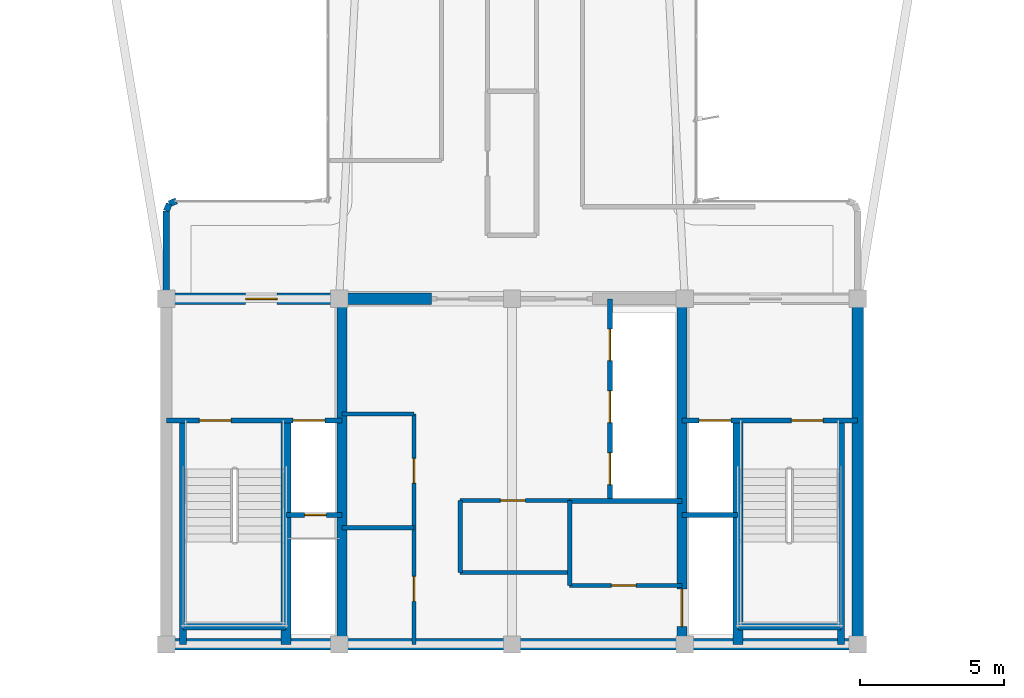
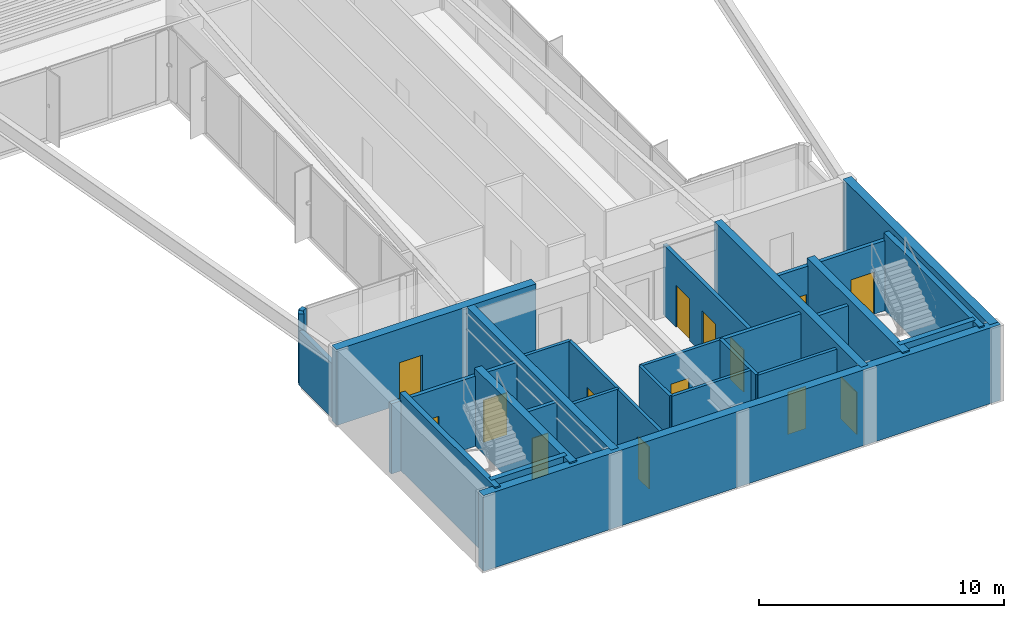
# One storey, part 10 of 14: 28 walls, 14 doors, 14 openings.
"""IFC4 building model written with IfcOpenShell, lengths in metres."""

from ifc_helpers import new_model, si_unit, direction, frame, frame_2d, origin, origin_2d, place, context, subcontext, project, spatial, rectangle, extrude, source, transform, mapped, material, layer, layer_set, type_object, element, fill, save


model = new_model("IFC4")

# Units and contexts
model_context = context("Model", 3, precision=1e-05, world=origin(), true_north=direction((0.0, 1.0)))
body_context = subcontext(model_context, "Body", "Model", "MODEL_VIEW")
ifc_project = project(units=[si_unit("LENGTHUNIT", "METRE"), si_unit("AREAUNIT", "SQUARE_METRE"), si_unit("VOLUMEUNIT", "CUBIC_METRE"), si_unit("PLANEANGLEUNIT", "RADIAN"), si_unit("MASSUNIT", "GRAM", prefix="KILO")], contexts=[model_context])

# Site, building, storey
site_placement = place(None, origin())
site = spatial("IfcSite", under=ifc_project, at=site_placement, CompositionType="ELEMENT")
building_placement = place(site_placement, origin())
building = spatial("IfcBuilding", under=site, at=building_placement, Name="Brelvock Crest Care Tower", CompositionType="ELEMENT")
storey_placement = place(building_placement, frame((0.0, 0.0, 257.0400390625)))
storey = spatial("IfcBuildingStorey", under=building, at=storey_placement, Name="L65", CompositionType="ELEMENT", Elevation=257.0400390625)

# Walls
ifc_material_1 = material(Name="Concrete S65 (65 MPa)", Category="concrete")
ifc_layer_1 = layer(ifc_material_1, 0.39990234375, Name="WL-CS4")
ifc_layer_set_1 = layer_set([ifc_layer_1], Name="Concrete S65 (65 MPa)")
wall_type_1 = type_object("IfcWallType", Name="WL-CS4", PredefinedType="SHEAR", material=ifc_layer_set_1)
wall_1_placement = place(storey_placement, frame((48.199951171875, 6.0, 0.0), z_axis=(0.0, 0.0, 1.0), x_axis=(-1.0, 0.0, 0.0)))
element("IfcWall", 1, at=wall_1_placement, inside=storey, type_object=wall_type_1, Name="L65 Core South Shear Wall", PredefinedType="SHEAR", context=body_context, shape_type="SweptSolid", body=[
    extrude(rectangle(XDim=24.39990234375, YDim=0.39990234375, at=frame_2d((12.199951171875, 0.0))), origin(), (0.0, 0.0, 1.0), 3.780029296875),
])
wall_2_placement = place(storey_placement, frame((48.0, 18.0, 0.0), z_axis=(0.0, 0.0, 1.0), x_axis=(0.0, -1.0, 0.0)))
element("IfcWall", 2, at=wall_2_placement, inside=storey, type_object=wall_type_1, Name="L65 Core East Shear Wall", PredefinedType="SHEAR", context=body_context, shape_type="SweptSolid", body=[
    extrude(rectangle(XDim=12.0, YDim=0.39990234375, at=frame_2d((6.0, 0.0))), origin(), (0.0, 0.0, 1.0), 3.780029296875),
])

# Wall, opening, door
wall_3_placement = place(storey_placement, frame((23.800048828125, 18.0, 0.0), z_axis=(0.0, 0.0, 1.0), x_axis=(1.0, 0.0, 0.0)))
wall_3 = element("IfcWall", 3, at=wall_3_placement, inside=storey, type_object=wall_type_1, Name="L65 Core North-West Shear Wall", PredefinedType="SHEAR", context=body_context, shape_type="SweptSolid", body=[
    extrude(rectangle(XDim=9.39990234375, YDim=0.39990234375, at=frame_2d((4.699951171875, 0.0))), origin(), (0.0, 0.0, 1.0), 3.780029296875),
])
opening_1_placement = place(wall_3_placement, frame((2.949951171875, 0.0, 0.0)))
opening_1 = element("IfcOpeningElement", 4, at=opening_1_placement, cuts=wall_3, Name="Opening FD-1", PredefinedType="OPENING", context=body_context, shape_type="SweptSolid", body=[
    extrude(rectangle(XDim=1.10009765625, YDim=2.10009765625, at=origin_2d()), frame((0.550048828125, 0.2099609375, 1.050048828125), z_axis=(0.0, -1.0, 0.0), x_axis=(1.0, 0.0, 0.0)), (0.0, 0.0, 1.0), 0.419921875),
])
ifc_material_2 = material(Name="Steel Grade 350", Category="steel")
door_type_1 = type_object("IfcDoorType", Name="DR-FFL1", OperationType="NOTDEFINED", PredefinedType="DOOR", material=ifc_material_2)
shared_shape_1 = source(origin(), body_context, "Body", "SweptSolid", [
    extrude(rectangle(XDim=1.10009765625, YDim=2.10009765625, at=origin_2d()), frame((0.550048828125, 0.02490234375, 1.050048828125), z_axis=(0.0, -1.0, 0.0), x_axis=(1.0, 0.0, 0.0)), (0.0, 0.0, 1.0), 0.050048828125),
])
door_1_placement = place(opening_1_placement, origin())
door_1 = element("IfcDoor", 5, at=door_1_placement, inside=storey, type_object=door_type_1, Name="L65 Firefighting Lobby FFL-1 Exit Door", OperationType="SINGLE_SWING_LEFT", OverallHeight=2.10009765625, OverallWidth=1.10009765625, PredefinedType="DOOR", context=body_context, shape_type="MappedRepresentation", body=[
    mapped(shared_shape_1, transform((0.0, 0.0, 0.0), x_axis=(1.0, 0.0, 0.0), y_axis=(0.0, 1.0, 0.0), z_axis=(0.0, 0.0, 1.0), scale=1.0)),
])
fill(opening_1, door_1)

# Wall
ifc_material_3 = material(Name="Concrete S80 (80 MPa)", Category="concrete")
ifc_layer_2 = layer(ifc_material_3, 0.35009765625, Name="WL-CS5")
ifc_layer_set_2 = layer_set([ifc_layer_2], Name="Concrete S80 (80 MPa)")
wall_type_2 = type_object("IfcWallType", Name="WL-CS5", PredefinedType="SHEAR", material=ifc_layer_set_2)
wall_4_placement = place(storey_placement, frame((30.10009765625, 6.0, 0.0), z_axis=(0.0, 0.0, 1.0), x_axis=(0.0, 1.0, 0.0)))
element("IfcWall", 6, at=wall_4_placement, inside=storey, type_object=wall_type_2, Name="L65 Core Internal Web Wall West", PredefinedType="SHEAR", context=body_context, shape_type="SweptSolid", body=[
    extrude(rectangle(XDim=12.0, YDim=0.35009765625, at=frame_2d((6.0, 0.0))), origin(), (0.0, 0.0, 1.0), 3.780029296875),
])

# Wall, opening, door
wall_5_placement = place(storey_placement, frame((41.89990234375, 18.0, 0.0), z_axis=(0.0, 0.0, 1.0), x_axis=(0.0, -1.0, 0.0)))
wall_5 = element("IfcWall", 7, at=wall_5_placement, inside=storey, type_object=wall_type_2, Name="L65 Core Internal Web Wall East", PredefinedType="SHEAR", context=body_context, shape_type="SweptSolid", body=[
    extrude(rectangle(XDim=12.0, YDim=0.35009765625, at=frame_2d((6.0, 0.0))), origin(), (0.0, 0.0, 1.0), 3.780029296875),
])
opening_2_placement = place(wall_5_placement, frame((10.080078125, 0.0, 0.0)))
opening_2 = element("IfcOpeningElement", 8, at=opening_2_placement, cuts=wall_5, Name="Opening LD-S", PredefinedType="OPENING", context=body_context, shape_type="SweptSolid", body=[
    extrude(rectangle(XDim=1.300048828125, YDim=2.10009765625, at=origin_2d()), frame((0.64990234375, 0.18505859375, 1.050048828125), z_axis=(0.0, -1.0, 0.0), x_axis=(1.0, 0.0, 0.0)), (0.0, 0.0, 1.0), 0.3701171875),
])
door_type_2 = type_object("IfcDoorType", Name="DR-LDS1", OperationType="NOTDEFINED", PredefinedType="DOOR", material=ifc_material_2)
shared_shape_2 = source(origin(), body_context, "Body", "SweptSolid", [
    extrude(rectangle(XDim=1.300048828125, YDim=2.10009765625, at=origin_2d()), frame((0.64990234375, 0.02490234375, 1.050048828125), z_axis=(0.0, -1.0, 0.0), x_axis=(1.0, 0.0, 0.0)), (0.0, 0.0, 1.0), 0.050048828125),
])
door_2_placement = place(opening_2_placement, origin())
door_2 = element("IfcDoor", 9, at=door_2_placement, inside=storey, type_object=door_type_2, Name="L65 Clinical Bed Lift SL-1 Landing Door", OperationType="SLIDING_TO_LEFT", OverallHeight=2.10009765625, OverallWidth=1.300048828125, PredefinedType="DOOR", context=body_context, shape_type="MappedRepresentation", body=[
    mapped(shared_shape_2, transform((0.0, 0.0, 0.0), x_axis=(1.0, 0.0, 0.0), y_axis=(0.0, 1.0, 0.0), z_axis=(0.0, 0.0, 1.0), scale=1.0)),
])
fill(opening_2, door_2)

# Walls
for number, where, z_axis, x_axis, name in (
    (10, (28.14990234375, 6.0, 0.0), (0.0, 0.0, 1.0), (0.0, 1.0, 0.0), "L65 Core Stair ST-1 East Shear Wall"),
    (11, (43.85009765625, 6.0, 0.0), (0.0, 0.0, 1.0), (0.0, 1.0, 0.0), "L65 Core Stair ST-2 West Shear Wall"),
):
    element("IfcWall", number, at=place(storey_placement, frame(where, z_axis=z_axis, x_axis=x_axis)), inside=storey, type_object=wall_type_2, Name=name, PredefinedType="SHEAR", context=body_context, shape_type="SweptSolid", body=[
        extrude(rectangle(XDim=7.780029296875, YDim=0.35009765625, at=frame_2d((3.89013671875, 0.0))), origin(), (0.0, 0.0, 1.0), 3.849853515625),
    ])
ifc_layer_3 = layer(ifc_material_3, 0.25, Name="WL-CS6")
ifc_layer_set_3 = layer_set([ifc_layer_3], Name="Concrete S80 (80 MPa)")
wall_type_3 = type_object("IfcWallType", Name="WL-CS6", PredefinedType="SHEAR", material=ifc_layer_set_3)
wall_6_placement = place(storey_placement, frame((24.580078125, 6.0, 0.0), z_axis=(0.0, 0.0, 1.0), x_axis=(0.0, 1.0, 0.0)))
element("IfcWall", 12, at=wall_6_placement, inside=storey, type_object=wall_type_3, Name="L65 Core Stair ST-1 West Shear Wall", PredefinedType="SHEAR", context=body_context, shape_type="SweptSolid", body=[
    extrude(rectangle(XDim=7.780029296875, YDim=0.25, at=frame_2d((3.89013671875, 0.0))), origin(), (0.0, 0.0, 1.0), 3.849853515625),
])
wall_7_placement = place(storey_placement, frame((24.580078125, 6.6201171875, 0.0), z_axis=(0.0, 0.0, 1.0), x_axis=(1.0, 0.0, 0.0)))
element("IfcWall", 13, at=wall_7_placement, inside=storey, type_object=wall_type_3, Name="L65 Core Stair ST-1 South Shear Wall", PredefinedType="SHEAR", context=body_context, shape_type="SweptSolid", body=[
    extrude(rectangle(XDim=3.56982421875, YDim=0.25, at=frame_2d((1.784912109375, 0.0))), origin(), (0.0, 0.0, 1.0), 3.849853515625),
])
wall_8_placement = place(storey_placement, frame((47.419921875, 6.0, 0.0), z_axis=(0.0, 0.0, 1.0), x_axis=(0.0, 1.0, 0.0)))
element("IfcWall", 14, at=wall_8_placement, inside=storey, type_object=wall_type_3, Name="L65 Core Stair ST-2 East Shear Wall", PredefinedType="SHEAR", context=body_context, shape_type="SweptSolid", body=[
    extrude(rectangle(XDim=7.780029296875, YDim=0.25, at=frame_2d((3.89013671875, 0.0))), origin(), (0.0, 0.0, 1.0), 3.849853515625),
])
wall_9_placement = place(storey_placement, frame((43.85009765625, 6.6201171875, 0.0), z_axis=(0.0, 0.0, 1.0), x_axis=(1.0, 0.0, 0.0)))
element("IfcWall", 15, at=wall_9_placement, inside=storey, type_object=wall_type_3, Name="L65 Core Stair ST-2 South Shear Wall", PredefinedType="SHEAR", context=body_context, shape_type="SweptSolid", body=[
    extrude(rectangle(XDim=3.56982421875, YDim=0.25, at=frame_2d((1.784912109375, 0.0))), origin(), (0.0, 0.0, 1.0), 3.849853515625),
])
ifc_material_4 = material(Name="Precast concrete N40 (40 MPa)", Category="concrete")
ifc_layer_4 = layer(ifc_material_4, 0.215087890625, Name="WL-EX2")
ifc_layer_set_4 = layer_set([ifc_layer_4], Name="Precast concrete N40 (40 MPa)")
wall_type_4 = type_object("IfcWallType", Name="WL-EX2", PredefinedType="SOLIDWALL", material=ifc_layer_set_4)
wall_10_placement = place(storey_placement, frame((24.0, 18.280029296875, 0.0), z_axis=(0.0, 0.0, 1.0), x_axis=(0.0, 1.0, 0.0)))
element("IfcWall", 16, at=wall_10_placement, inside=storey, type_object=wall_type_4, Name="L65 Rounded Corner Wall 07", PredefinedType="SOLIDWALL", context=body_context, shape_type="SweptSolid", body=[
    extrude(rectangle(XDim=2.77001953125, YDim=0.215087890625, at=frame_2d((1.385009765625, 0.0))), origin(), (0.0, 0.0, 1.0), 2.718017578125),
])
wall_11_placement = place(storey_placement, frame((24.0, 21.050048828125, 0.0), z_axis=(0.0, 0.0, 1.0), x_axis=(0.382673670509, 0.923883575944, 0.0)))
element("IfcWall", 17, at=wall_11_placement, inside=storey, type_object=wall_type_4, Name="L65 Rounded Corner Wall 08", PredefinedType="SOLIDWALL", context=body_context, shape_type="SweptSolid", body=[
    extrude(rectangle(XDim=0.26806640625, YDim=0.215087890625, at=frame_2d((0.134033203125, 0.0))), origin(), (0.0, 0.0, 1.0), 3.530029296875),
])
wall_12_placement = place(storey_placement, frame((24.1025390625, 21.297607421875, 0.0), z_axis=(0.0, 0.0, 1.0), x_axis=(0.924205486139, 0.381895560841, 0.0)))
element("IfcWall", 18, at=wall_12_placement, inside=storey, type_object=wall_type_4, Name="L65 Rounded Corner Wall 09", PredefinedType="SOLIDWALL", context=body_context, shape_type="SweptSolid", body=[
    extrude(rectangle(XDim=0.267822265625, YDim=0.215087890625, at=frame_2d((0.1337890625, 0.0))), origin(), (0.0, 0.0, 1.0), 3.530029296875),
])
ifc_material_5 = material(Name="Masonry Blockwork Acoustic Partition", Category="masonry")
ifc_layer_5 = layer(ifc_material_5, 0.14990234375, Name="WL-INT1")
ifc_layer_set_5 = layer_set([ifc_layer_5], Name="Masonry Blockwork Acoustic Partition")
wall_type_5 = type_object("IfcWallType", Name="WL-INT1", PredefinedType="PARTITIONING", material=ifc_layer_set_5)
wall_13_placement = place(storey_placement, frame((30.10009765625, 14.0, 0.0), z_axis=(0.0, 0.0, 1.0), x_axis=(1.0, 0.0, 0.0)))
element("IfcWall", 19, at=wall_13_placement, inside=storey, type_object=wall_type_5, Name="L65 Interior Wall WL-CRCL-N1-L65", PredefinedType="PARTITIONING", context=body_context, shape_type="SweptSolid", body=[
    extrude(rectangle(XDim=2.5, YDim=0.14990234375, at=frame_2d((1.25, 0.0))), origin(), (0.0, 0.0, 1.0), 3.5),
])
wall_14_placement = place(storey_placement, frame((34.199951171875, 8.5, 0.0), z_axis=(0.0, 0.0, 1.0), x_axis=(1.0, 0.0, 0.0)))
element("IfcWall", 20, at=wall_14_placement, inside=storey, type_object=wall_type_5, Name="L65 Interior Wall WL-CRCM-SW-L65", PredefinedType="PARTITIONING", context=body_context, shape_type="SweptSolid", body=[
    extrude(rectangle(XDim=3.800048828125, YDim=0.14990234375, at=frame_2d((1.89990234375, 0.0))), origin(), (0.0, 0.0, 1.0), 3.5),
])

# Wall, opening, door
wall_15_placement = place(storey_placement, frame((38.0, 8.050048828125, 0.0), z_axis=(0.0, 0.0, 1.0), x_axis=(1.0, 0.0, 0.0)))
wall_15 = element("IfcWall", 21, at=wall_15_placement, inside=storey, type_object=wall_type_5, Name="L65 Interior Wall WL-CRCM-SE-L65", PredefinedType="PARTITIONING", context=body_context, shape_type="SweptSolid", body=[
    extrude(rectangle(XDim=3.89990234375, YDim=0.14990234375, at=frame_2d((1.949951171875, 0.0))), origin(), (0.0, 0.0, 1.0), 3.5),
])
opening_3_placement = place(wall_15_placement, frame((1.449951171875, 0.0, 0.0)))
opening_3 = element("IfcOpeningElement", 22, at=opening_3_placement, cuts=wall_15, Name="Opening ID-1", PredefinedType="OPENING", context=body_context, shape_type="SweptSolid", body=[
    extrude(rectangle(XDim=0.860107421875, YDim=2.10009765625, at=origin_2d()), frame((0.43017578125, 0.0849609375, 1.050048828125), z_axis=(0.0, -1.0, 0.0), x_axis=(1.0, 0.0, 0.0)), (0.0, 0.0, 1.0), 0.169921875),
])
ifc_material_6 = material(Name="Engineered Hardwood Timber", Category="wood")
door_type_3 = type_object("IfcDoorType", Name="DR-INT1", OperationType="NOTDEFINED", PredefinedType="DOOR", material=ifc_material_6)
shared_shape_3 = source(origin(), body_context, "Body", "SweptSolid", [
    extrude(rectangle(XDim=0.860107421875, YDim=2.10009765625, at=origin_2d()), frame((0.43017578125, 0.02490234375, 1.050048828125), z_axis=(0.0, -1.0, 0.0), x_axis=(1.0, 0.0, 0.0)), (0.0, 0.0, 1.0), 0.050048828125),
])
door_3_placement = place(opening_3_placement, origin())
door_3 = element("IfcDoor", 23, at=door_3_placement, inside=storey, type_object=door_type_3, Name="DR-CRCM2-L65", OperationType="SINGLE_SWING_LEFT", OverallHeight=2.10009765625, OverallWidth=0.860107421875, PredefinedType="DOOR", context=body_context, shape_type="MappedRepresentation", body=[
    mapped(shared_shape_3, transform((0.0, 0.0, 0.0), x_axis=(1.0, 0.0, 0.0), y_axis=(0.0, 1.0, 0.0), z_axis=(0.0, 0.0, 1.0), scale=1.0)),
])
fill(opening_3, door_3)

# Walls
wall_16_placement = place(storey_placement, frame((34.199951171875, 8.5, 0.0), z_axis=(0.0, 0.0, 1.0), x_axis=(0.0, 1.0, 0.0)))
element("IfcWall", 24, at=wall_16_placement, inside=storey, type_object=wall_type_5, Name="L65 Interior Wall WL-CRCM-W-L65", PredefinedType="PARTITIONING", context=body_context, shape_type="SweptSolid", body=[
    extrude(rectangle(XDim=2.5, YDim=0.14990234375, at=frame_2d((1.25, 0.0))), origin(), (0.0, 0.0, 1.0), 3.5),
])
wall_17_placement = place(storey_placement, frame((38.0, 8.050048828125, 0.0), z_axis=(0.0, 0.0, 1.0), x_axis=(0.0, 1.0, 0.0)))
element("IfcWall", 25, at=wall_17_placement, inside=storey, type_object=wall_type_5, Name="L65 Interior Wall WL-CRCM-V-L65", PredefinedType="PARTITIONING", context=body_context, shape_type="SweptSolid", body=[
    extrude(rectangle(XDim=2.949951171875, YDim=0.14990234375, at=frame_2d((1.47509765625, 0.0))), origin(), (0.0, 0.0, 1.0), 3.5),
])

# Wall, opening, door
wall_18_placement = place(storey_placement, frame((34.199951171875, 11.0, 0.0), z_axis=(0.0, 0.0, 1.0), x_axis=(1.0, 0.0, 0.0)))
wall_18 = element("IfcWall", 26, at=wall_18_placement, inside=storey, type_object=wall_type_5, Name="L65 Interior Wall WL-CRCM-NW-L65", PredefinedType="PARTITIONING", context=body_context, shape_type="SweptSolid", body=[
    extrude(rectangle(XDim=3.800048828125, YDim=0.14990234375, at=frame_2d((1.89990234375, 0.0))), origin(), (0.0, 0.0, 1.0), 3.5),
])
opening_4_placement = place(wall_18_placement, frame((1.39990234375, 0.0, 0.0)))
opening_4 = element("IfcOpeningElement", 27, at=opening_4_placement, cuts=wall_18, Name="Opening ID-1", PredefinedType="OPENING", context=body_context, shape_type="SweptSolid", body=[
    extrude(rectangle(XDim=0.860107421875, YDim=2.10009765625, at=origin_2d()), frame((0.43017578125, 0.0849609375, 1.050048828125), z_axis=(0.0, -1.0, 0.0), x_axis=(1.0, 0.0, 0.0)), (0.0, 0.0, 1.0), 0.169921875),
])
door_4_placement = place(opening_4_placement, origin())
door_4 = element("IfcDoor", 28, at=door_4_placement, inside=storey, type_object=door_type_3, Name="DR-CRCM1-L65", OperationType="SINGLE_SWING_LEFT", OverallHeight=2.10009765625, OverallWidth=0.860107421875, PredefinedType="DOOR", context=body_context, shape_type="MappedRepresentation", body=[
    mapped(shared_shape_3, transform((0.0, 0.0, 0.0), x_axis=(1.0, 0.0, 0.0), y_axis=(0.0, 1.0, 0.0), z_axis=(0.0, 0.0, 1.0), scale=1.0)),
])
fill(opening_4, door_4)

# Wall
wall_19_placement = place(storey_placement, frame((30.10009765625, 10.050048828125, 0.0), z_axis=(0.0, 0.0, 1.0), x_axis=(1.0, 0.0, 0.0)))
element("IfcWall", 29, at=wall_19_placement, inside=storey, type_object=wall_type_5, Name="L65 Interior Wall WL-CSBW-S1-L65", PredefinedType="PARTITIONING", context=body_context, shape_type="SweptSolid", body=[
    extrude(rectangle(XDim=2.5, YDim=0.14990234375, at=frame_2d((1.25, 0.0))), origin(), (0.0, 0.0, 1.0), 3.5),
])

# Wall, openings, doors
wall_20_placement = place(storey_placement, frame((32.60009765625, 6.0, 0.0), z_axis=(0.0, 0.0, 1.0), x_axis=(0.0, 1.0, 0.0)))
wall_20 = element("IfcWall", 30, at=wall_20_placement, inside=storey, type_object=wall_type_5, Name="L65 Interior Wall WL-CRCL-E-L65", PredefinedType="PARTITIONING", context=body_context, shape_type="SweptSolid", body=[
    extrude(rectangle(XDim=8.0, YDim=0.14990234375, at=frame_2d((4.0, 0.0))), origin(), (0.0, 0.0, 1.0), 3.5),
])
opening_5_placement = place(wall_20_placement, frame((1.5, 0.0, 0.0)))
opening_5 = element("IfcOpeningElement", 31, at=opening_5_placement, cuts=wall_20, Name="Opening ID-1", PredefinedType="OPENING", context=body_context, shape_type="SweptSolid", body=[
    extrude(rectangle(XDim=0.860107421875, YDim=2.10009765625, at=origin_2d()), frame((0.43017578125, 0.0849609375, 1.050048828125), z_axis=(0.0, -1.0, 0.0), x_axis=(1.0, 0.0, 0.0)), (0.0, 0.0, 1.0), 0.169921875),
])
opening_6_placement = place(wall_20_placement, frame((5.60009765625, 0.0, 0.0)))
opening_6 = element("IfcOpeningElement", 32, at=opening_6_placement, cuts=wall_20, Name="Opening ID-1", PredefinedType="OPENING", context=body_context, shape_type="SweptSolid", body=[
    extrude(rectangle(XDim=0.860107421875, YDim=2.10009765625, at=origin_2d()), frame((0.43017578125, 0.0849609375, 1.050048828125), z_axis=(0.0, -1.0, 0.0), x_axis=(1.0, 0.0, 0.0)), (0.0, 0.0, 1.0), 0.169921875),
])
door_5_placement = place(opening_5_placement, origin())
door_5 = element("IfcDoor", 33, at=door_5_placement, inside=storey, type_object=door_type_3, Name="DR-CSBW-L65", OperationType="SINGLE_SWING_LEFT", OverallHeight=2.10009765625, OverallWidth=0.860107421875, PredefinedType="DOOR", context=body_context, shape_type="MappedRepresentation", body=[
    mapped(shared_shape_3, transform((0.0, 0.0, 0.0), x_axis=(1.0, 0.0, 0.0), y_axis=(0.0, 1.0, 0.0), z_axis=(0.0, 0.0, 1.0), scale=1.0)),
])
fill(opening_5, door_5)
door_6_placement = place(opening_6_placement, origin())
door_6 = element("IfcDoor", 34, at=door_6_placement, inside=storey, type_object=door_type_3, Name="DR-CRCL1-L65", OperationType="SINGLE_SWING_LEFT", OverallHeight=2.10009765625, OverallWidth=0.860107421875, PredefinedType="DOOR", context=body_context, shape_type="MappedRepresentation", body=[
    mapped(shared_shape_3, transform((0.0, 0.0, 0.0), x_axis=(1.0, 0.0, 0.0), y_axis=(0.0, 1.0, 0.0), z_axis=(0.0, 0.0, 1.0), scale=1.0)),
])
fill(opening_6, door_6)

# Wall
ifc_layer_6 = layer(ifc_material_5, 0.179931640625, Name="WL-SHF1")
ifc_layer_set_6 = layer_set([ifc_layer_6], Name="Masonry Blockwork Acoustic Partition")
wall_type_6 = type_object("IfcWallType", Name="WL-SHF1", PredefinedType="PARTITIONING", material=ifc_layer_set_6)
wall_21_placement = place(storey_placement, frame((38.0, 10.97998046875, 0.0), z_axis=(0.0, 0.0, 1.0), x_axis=(1.0, 0.0, 0.0)))
element("IfcWall", 35, at=wall_21_placement, inside=storey, type_object=wall_type_6, Name="L65 Interior Wall WL-CRCM-NE-L65", PredefinedType="PARTITIONING", context=body_context, shape_type="SweptSolid", body=[
    extrude(rectangle(XDim=3.89990234375, YDim=0.179931640625, at=frame_2d((1.949951171875, 0.0))), origin(), (0.0, 0.0, 1.0), 3.5),
])

# Wall, openings, doors
wall_22_placement = place(storey_placement, frame((24.0, 13.780029296875, 0.0), z_axis=(0.0, 0.0, 1.0), x_axis=(1.0, 0.0, 0.0)))
wall_22 = element("IfcWall", 36, at=wall_22_placement, inside=storey, type_object=wall_type_6, Name="L65 Interior Wall WL-ST1-N-L65", PredefinedType="PARTITIONING", context=body_context, shape_type="SweptSolid", body=[
    extrude(rectangle(XDim=6.10009765625, YDim=0.179931640625, at=frame_2d((3.050048828125, 0.0))), origin(), (0.0, 0.0, 1.0), 3.5),
])
opening_7_placement = place(wall_22_placement, frame((1.14990234375, 0.0, 0.0)))
opening_7 = element("IfcOpeningElement", 37, at=opening_7_placement, cuts=wall_22, Name="Opening SD-1", PredefinedType="OPENING", context=body_context, shape_type="SweptSolid", body=[
    extrude(rectangle(XDim=1.10009765625, YDim=2.10009765625, at=origin_2d()), frame((0.550048828125, 0.10009765625, 1.050048828125), z_axis=(0.0, -1.0, 0.0), x_axis=(1.0, 0.0, 0.0)), (0.0, 0.0, 1.0), 0.199951171875),
])
opening_8_placement = place(wall_22_placement, frame((4.39990234375, 0.0, 0.0)))
opening_8 = element("IfcOpeningElement", 38, at=opening_8_placement, cuts=wall_22, Name="Opening LD", PredefinedType="OPENING", context=body_context, shape_type="SweptSolid", body=[
    extrude(rectangle(XDim=1.10009765625, YDim=2.10009765625, at=origin_2d()), frame((0.550048828125, 0.10009765625, 1.050048828125), z_axis=(0.0, -1.0, 0.0), x_axis=(1.0, 0.0, 0.0)), (0.0, 0.0, 1.0), 0.199951171875),
])
door_type_4 = type_object("IfcDoorType", Name="DR-ST1", OperationType="NOTDEFINED", PredefinedType="DOOR", material=ifc_material_2)
shared_shape_4 = source(origin(), body_context, "Body", "SweptSolid", [
    extrude(rectangle(XDim=1.10009765625, YDim=2.10009765625, at=origin_2d()), frame((0.550048828125, 0.02490234375, 1.050048828125), z_axis=(0.0, -1.0, 0.0), x_axis=(1.0, 0.0, 0.0)), (0.0, 0.0, 1.0), 0.050048828125),
])
door_7_placement = place(opening_7_placement, origin())
door_7 = element("IfcDoor", 39, at=door_7_placement, inside=storey, type_object=door_type_4, Name="L65 Fire Stair ST-1 Door", OperationType="SINGLE_SWING_LEFT", OverallHeight=2.10009765625, OverallWidth=1.10009765625, PredefinedType="DOOR", context=body_context, shape_type="MappedRepresentation", body=[
    mapped(shared_shape_4, transform((0.0, 0.0, 0.0), x_axis=(1.0, 0.0, 0.0), y_axis=(0.0, 1.0, 0.0), z_axis=(0.0, 0.0, 1.0), scale=1.0)),
])
fill(opening_7, door_7)
door_type_5 = type_object("IfcDoorType", Name="DR-LD1", OperationType="NOTDEFINED", PredefinedType="DOOR", material=ifc_material_2)
shared_shape_5 = source(origin(), body_context, "Body", "SweptSolid", [
    extrude(rectangle(XDim=1.10009765625, YDim=2.10009765625, at=origin_2d()), frame((0.550048828125, 0.02490234375, 1.050048828125), z_axis=(0.0, -1.0, 0.0), x_axis=(1.0, 0.0, 0.0)), (0.0, 0.0, 1.0), 0.050048828125),
])
door_8_placement = place(opening_8_placement, origin())
door_8 = element("IfcDoor", 40, at=door_8_placement, inside=storey, type_object=door_type_5, Name="L65 Firefighting Lift FFL-1 Landing Door", OperationType="SLIDING_TO_LEFT", OverallHeight=2.10009765625, OverallWidth=1.10009765625, PredefinedType="DOOR", context=body_context, shape_type="MappedRepresentation", body=[
    mapped(shared_shape_5, transform((0.0, 0.0, 0.0), x_axis=(1.0, 0.0, 0.0), y_axis=(0.0, 1.0, 0.0), z_axis=(0.0, 0.0, 1.0), scale=1.0)),
])
fill(opening_8, door_8)

# Wall, opening, door
wall_23_placement = place(storey_placement, frame((28.14990234375, 10.5, 0.0), z_axis=(0.0, 0.0, 1.0), x_axis=(1.0, 0.0, 0.0)))
wall_23 = element("IfcWall", 41, at=wall_23_placement, inside=storey, type_object=wall_type_6, Name="L65 Interior Wall WL-FFH1-S-L65", PredefinedType="PARTITIONING", context=body_context, shape_type="SweptSolid", body=[
    extrude(rectangle(XDim=1.9501953125, YDim=0.179931640625, at=frame_2d((0.97509765625, 0.0))), origin(), (0.0, 0.0, 1.0), 3.5),
])
opening_9_placement = place(wall_23_placement, frame((0.64990234375, 0.0, 0.0)))
opening_9 = element("IfcOpeningElement", 42, at=opening_9_placement, cuts=wall_23, Name="Opening RD-1", PredefinedType="OPENING", context=body_context, shape_type="SweptSolid", body=[
    extrude(rectangle(XDim=0.760009765625, YDim=2.050048828125, at=origin_2d()), frame((0.3798828125, 0.10009765625, 1.02490234375), z_axis=(0.0, -1.0, 0.0), x_axis=(1.0, 0.0, 0.0)), (0.0, 0.0, 1.0), 0.199951171875),
])
door_type_6 = type_object("IfcDoorType", Name="DR-RIS1", OperationType="NOTDEFINED", PredefinedType="DOOR", material=ifc_material_2)
shared_shape_6 = source(origin(), body_context, "Body", "SweptSolid", [
    extrude(rectangle(XDim=0.760009765625, YDim=2.050048828125, at=origin_2d()), frame((0.3798828125, 0.02490234375, 1.02490234375), z_axis=(0.0, -1.0, 0.0), x_axis=(1.0, 0.0, 0.0)), (0.0, 0.0, 1.0), 0.050048828125),
])
door_9_placement = place(opening_9_placement, origin())
door_9 = element("IfcDoor", 43, at=door_9_placement, inside=storey, type_object=door_type_6, Name="L65 Wet Fire Riser Access Door", OperationType="SINGLE_SWING_LEFT", OverallHeight=2.050048828125, OverallWidth=0.760009765625, PredefinedType="DOOR", context=body_context, shape_type="MappedRepresentation", body=[
    mapped(shared_shape_6, transform((0.0, 0.0, 0.0), x_axis=(1.0, 0.0, 0.0), y_axis=(0.0, 1.0, 0.0), z_axis=(0.0, 0.0, 1.0), scale=1.0)),
])
fill(opening_9, door_9)

# Wall, openings, doors
wall_24_placement = place(storey_placement, frame((41.89990234375, 13.780029296875, 0.0), z_axis=(0.0, 0.0, 1.0), x_axis=(1.0, 0.0, 0.0)))
wall_24 = element("IfcWall", 44, at=wall_24_placement, inside=storey, type_object=wall_type_6, Name="L65 Interior Wall WL-ST2-N-L65", PredefinedType="PARTITIONING", context=body_context, shape_type="SweptSolid", body=[
    extrude(rectangle(XDim=6.10009765625, YDim=0.179931640625, at=frame_2d((3.050048828125, 0.0))), origin(), (0.0, 0.0, 1.0), 3.5),
])
opening_10_placement = place(wall_24_placement, frame((0.60009765625, 0.0, 0.0)))
opening_10 = element("IfcOpeningElement", 45, at=opening_10_placement, cuts=wall_24, Name="Opening LD", PredefinedType="OPENING", context=body_context, shape_type="SweptSolid", body=[
    extrude(rectangle(XDim=1.10009765625, YDim=2.10009765625, at=origin_2d()), frame((0.550048828125, 0.10009765625, 1.050048828125), z_axis=(0.0, -1.0, 0.0), x_axis=(1.0, 0.0, 0.0)), (0.0, 0.0, 1.0), 0.199951171875),
])
opening_11_placement = place(wall_24_placement, frame((3.800048828125, 0.0, 0.0)))
opening_11 = element("IfcOpeningElement", 46, at=opening_11_placement, cuts=wall_24, Name="Opening SD-1", PredefinedType="OPENING", context=body_context, shape_type="SweptSolid", body=[
    extrude(rectangle(XDim=1.10009765625, YDim=2.10009765625, at=origin_2d()), frame((0.550048828125, 0.10009765625, 1.050048828125), z_axis=(0.0, -1.0, 0.0), x_axis=(1.0, 0.0, 0.0)), (0.0, 0.0, 1.0), 0.199951171875),
])
door_10_placement = place(opening_11_placement, origin())
door_10 = element("IfcDoor", 47, at=door_10_placement, inside=storey, type_object=door_type_4, Name="L65 Fire Stair ST-2 Door", OperationType="SINGLE_SWING_RIGHT", OverallHeight=2.10009765625, OverallWidth=1.10009765625, PredefinedType="DOOR", context=body_context, shape_type="MappedRepresentation", body=[
    mapped(shared_shape_4, transform((0.0, 0.0, 0.0), x_axis=(1.0, 0.0, 0.0), y_axis=(0.0, 1.0, 0.0), z_axis=(0.0, 0.0, 1.0), scale=1.0)),
])
fill(opening_11, door_10)
door_11_placement = place(opening_10_placement, origin())
door_11 = element("IfcDoor", 48, at=door_11_placement, inside=storey, type_object=door_type_5, Name="L65 Firefighting Lift FFL-2 Landing Door", OperationType="SLIDING_TO_RIGHT", OverallHeight=2.10009765625, OverallWidth=1.10009765625, PredefinedType="DOOR", context=body_context, shape_type="MappedRepresentation", body=[
    mapped(shared_shape_5, transform((0.0, 0.0, 0.0), x_axis=(1.0, 0.0, 0.0), y_axis=(0.0, 1.0, 0.0), z_axis=(0.0, 0.0, 1.0), scale=1.0)),
])
fill(opening_10, door_11)

# Wall
wall_25_placement = place(storey_placement, frame((41.89990234375, 10.5, 0.0), z_axis=(0.0, 0.0, 1.0), x_axis=(1.0, 0.0, 0.0)))
element("IfcWall", 49, at=wall_25_placement, inside=storey, type_object=wall_type_6, Name="L65 Interior Wall WL-FFH2-S-L65", PredefinedType="PARTITIONING", context=body_context, shape_type="SweptSolid", body=[
    extrude(rectangle(XDim=1.9501953125, YDim=0.179931640625, at=frame_2d((0.97509765625, 0.0))), origin(), (0.0, 0.0, 1.0), 3.5),
])

# Wall, openings, doors
wall_26_placement = place(storey_placement, frame((39.39990234375, 11.0, 0.0), z_axis=(0.0, 0.0, 1.0), x_axis=(0.0, 1.0, 0.0)))
wall_26 = element("IfcWall", 50, at=wall_26_placement, inside=storey, type_object=wall_type_6, Name="L65 Interior Wall WL-PLH-BANK-L65", PredefinedType="PARTITIONING", context=body_context, shape_type="SweptSolid", body=[
    extrude(rectangle(XDim=7.0, YDim=0.179931640625, at=frame_2d((3.5, 0.0))), origin(), (0.0, 0.0, 1.0), 3.5),
])
opening_12_placement = place(wall_26_placement, frame((0.550048828125, 0.0, 0.0)))
opening_12 = element("IfcOpeningElement", 51, at=opening_12_placement, cuts=wall_26, Name="Opening LD", PredefinedType="OPENING", context=body_context, shape_type="SweptSolid", body=[
    extrude(rectangle(XDim=1.10009765625, YDim=2.10009765625, at=origin_2d()), frame((0.550048828125, 0.10009765625, 1.050048828125), z_axis=(0.0, -1.0, 0.0), x_axis=(1.0, 0.0, 0.0)), (0.0, 0.0, 1.0), 0.199951171875),
])
opening_13_placement = place(wall_26_placement, frame((2.699951171875, 0.0, 0.0)))
opening_13 = element("IfcOpeningElement", 52, at=opening_13_placement, cuts=wall_26, Name="Opening LD", PredefinedType="OPENING", context=body_context, shape_type="SweptSolid", body=[
    extrude(rectangle(XDim=1.10009765625, YDim=2.10009765625, at=origin_2d()), frame((0.550048828125, 0.10009765625, 1.050048828125), z_axis=(0.0, -1.0, 0.0), x_axis=(1.0, 0.0, 0.0)), (0.0, 0.0, 1.0), 0.199951171875),
])
opening_14_placement = place(wall_26_placement, frame((4.85009765625, 0.0, 0.0)))
opening_14 = element("IfcOpeningElement", 53, at=opening_14_placement, cuts=wall_26, Name="Opening LD", PredefinedType="OPENING", context=body_context, shape_type="SweptSolid", body=[
    extrude(rectangle(XDim=1.10009765625, YDim=2.10009765625, at=origin_2d()), frame((0.550048828125, 0.10009765625, 1.050048828125), z_axis=(0.0, -1.0, 0.0), x_axis=(1.0, 0.0, 0.0)), (0.0, 0.0, 1.0), 0.199951171875),
])
door_12_placement = place(opening_12_placement, origin())
door_12 = element("IfcDoor", 54, at=door_12_placement, inside=storey, type_object=door_type_5, Name="L65 Lift PL-H1 Landing Door", OperationType="SLIDING_TO_RIGHT", OverallHeight=2.10009765625, OverallWidth=1.10009765625, PredefinedType="DOOR", context=body_context, shape_type="MappedRepresentation", body=[
    mapped(shared_shape_5, transform((0.0, 0.0, 0.0), x_axis=(1.0, 0.0, 0.0), y_axis=(0.0, 1.0, 0.0), z_axis=(0.0, 0.0, 1.0), scale=1.0)),
])
fill(opening_12, door_12)
door_13_placement = place(opening_13_placement, origin())
door_13 = element("IfcDoor", 55, at=door_13_placement, inside=storey, type_object=door_type_5, Name="L65 Lift PL-H2 Landing Door", OperationType="SLIDING_TO_RIGHT", OverallHeight=2.10009765625, OverallWidth=1.10009765625, PredefinedType="DOOR", context=body_context, shape_type="MappedRepresentation", body=[
    mapped(shared_shape_5, transform((0.0, 0.0, 0.0), x_axis=(1.0, 0.0, 0.0), y_axis=(0.0, 1.0, 0.0), z_axis=(0.0, 0.0, 1.0), scale=1.0)),
])
fill(opening_13, door_13)
door_14_placement = place(opening_14_placement, origin())
door_14 = element("IfcDoor", 56, at=door_14_placement, inside=storey, type_object=door_type_5, Name="L65 Lift PL-H3 Landing Door", OperationType="SLIDING_TO_RIGHT", OverallHeight=2.10009765625, OverallWidth=1.10009765625, PredefinedType="DOOR", context=body_context, shape_type="MappedRepresentation", body=[
    mapped(shared_shape_5, transform((0.0, 0.0, 0.0), x_axis=(1.0, 0.0, 0.0), y_axis=(0.0, 1.0, 0.0), z_axis=(0.0, 0.0, 1.0), scale=1.0)),
])
fill(opening_14, door_14)

save(model, "model.ifc")
